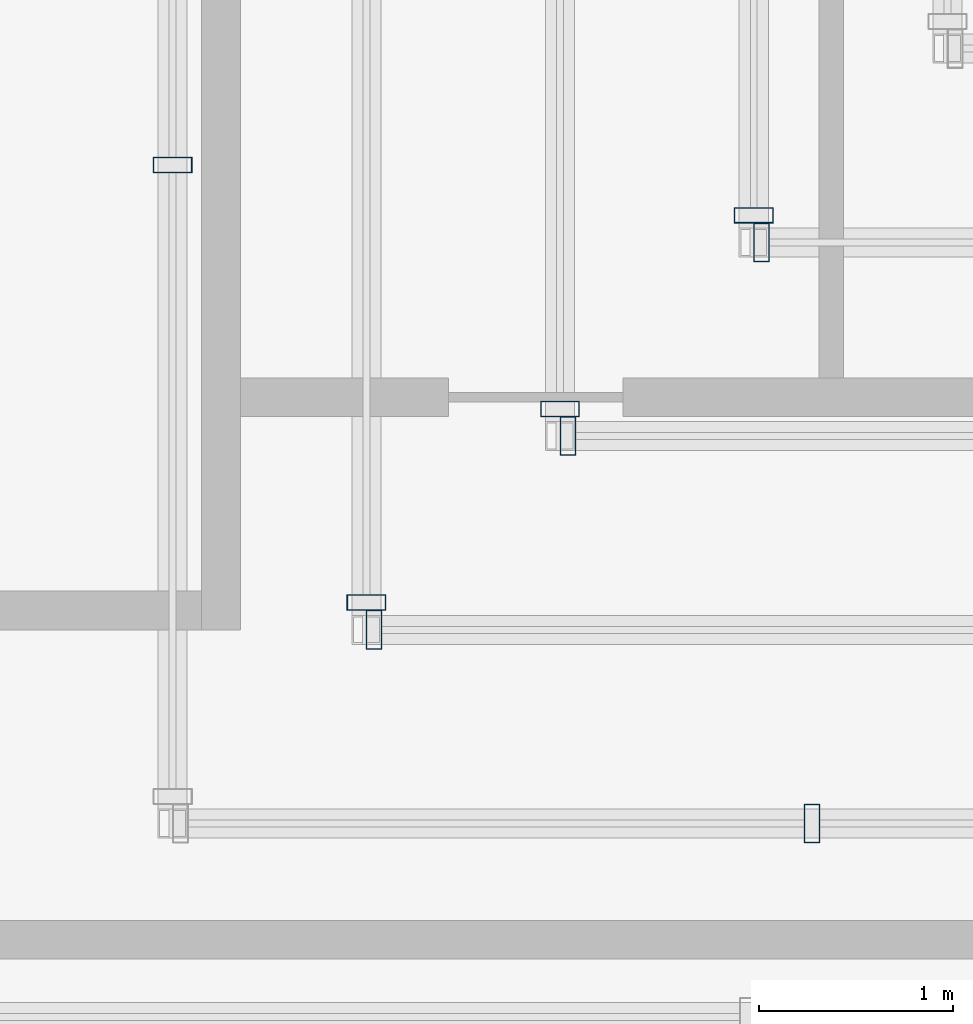
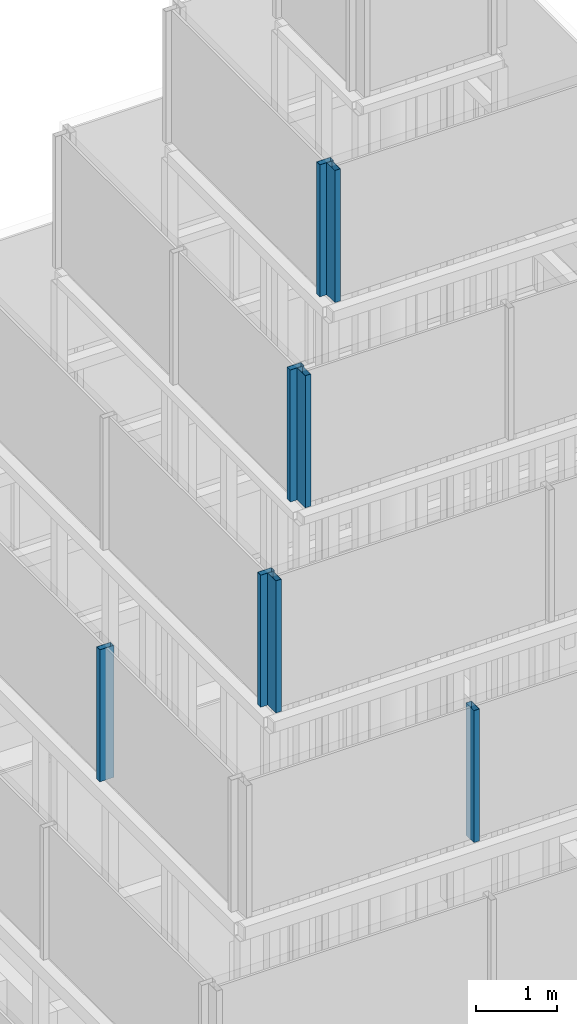
# One storey, part 5 of 24: 8 members, 8 elements without a shape of their own.
"""IFC4 building model written with IfcOpenShell, lengths in metres."""

from ifc_helpers import new_model, si_unit, direction, frame, origin, origin_2d, place, context, subcontext, project, spatial, hollow_rectangle, extrude, material, material_profile, profile_set, type_object, element, aggregate, save


model = new_model("IFC4")

# Units and contexts
model_context = context("Model", 3, precision=1e-05, world=origin(), true_north=direction((0.0, 1.0)))
body_context = subcontext(model_context, "Body", "Model", "MODEL_VIEW")
ifc_project = project(units=[si_unit("LENGTHUNIT", "METRE"), si_unit("AREAUNIT", "SQUARE_METRE"), si_unit("VOLUMEUNIT", "CUBIC_METRE"), si_unit("PLANEANGLEUNIT", "RADIAN"), si_unit("MASSUNIT", "GRAM", prefix="KILO")], contexts=[model_context])

# Site, building, storey
site_placement = place(None, origin())
site = spatial("IfcSite", under=ifc_project, at=site_placement, CompositionType="ELEMENT")
building_placement = place(site_placement, origin())
building = spatial("IfcBuilding", under=site, at=building_placement, Name="Altepetl Exchange Towers", CompositionType="ELEMENT")
storey_placement = place(building_placement, frame((0.0, 0.0, 279.10009765625)))
storey = spatial("IfcBuildingStorey", under=building, at=storey_placement, Name="L70 Crown plant", CompositionType="ELEMENT", Elevation=279.10009765625)

# Curtain wall, member
ifc_material_1 = material(Name="Aluminium 6063-T6 glazing", Category="aluminium")
curtain_wall_type = type_object("IfcCurtainWallType", Name="Crown glazing system", PredefinedType="NOTDEFINED", material=ifc_material_1)
curtain_wall_1_placement = place(storey_placement, origin())
curtain_wall_1 = element("IfcCurtainWall", 1, at=curtain_wall_1_placement, inside=storey, type_object=curtain_wall_type, Name="CW7 run", PredefinedType="NOTDEFINED")
ifc_material_2 = material(Name="Aluminium 6063-T6", Category="aluminium")
ifc_material_profile = material_profile(ifc_material_2, hollow_rectangle(XDim=0.080078125, YDim=0.199951171875, WallThickness=0.0029296875, at=origin_2d()), Name="Mullion 80x200 hollow aluminium")
ifc_profile_set = profile_set([ifc_material_profile], Name="Aluminium 6063-T6")
member_type = type_object("IfcMemberType", Name="Mullion 80x200 hollow aluminium", PredefinedType="MULLION", material=ifc_profile_set)
member_1_placement = place(storey_placement, frame((47.800048828125, 44.5, 10.949951171875)))
member_1 = element("IfcMember", 2, at=member_1_placement, type_object=member_type, Name="MU5 mullion", PredefinedType="MULLION", context=body_context, shape_type="SweptSolid", body=[
    extrude(hollow_rectangle(XDim=0.080078125, YDim=0.199951171875, WallThickness=0.0029296875, at=origin_2d()), origin(), (0.0, 0.0, 1.0), 2.0),
])
aggregate(curtain_wall_1, [member_1])

curtain_wall_2_placement = place(storey_placement, origin())
curtain_wall_2 = element("IfcCurtainWall", 3, at=curtain_wall_2_placement, inside=storey, type_object=curtain_wall_type, Name="CW7 run", PredefinedType="NOTDEFINED")
member_2_placement = place(storey_placement, frame((44.5, 47.89990234375, 10.949951171875), z_axis=(0.0, 0.0, 1.0), x_axis=(0.0, -1.0, 0.0)))
member_2 = element("IfcMember", 4, at=member_2_placement, type_object=member_type, Name="MU5 mullion", PredefinedType="MULLION", context=body_context, shape_type="SweptSolid", body=[
    extrude(hollow_rectangle(XDim=0.080078125, YDim=0.199951171875, WallThickness=0.0029296875, at=origin_2d()), origin(), (0.0, 0.0, 1.0), 2.0),
])
aggregate(curtain_wall_2, [member_2])

curtain_wall_3_placement = place(storey_placement, origin())
curtain_wall_3 = element("IfcCurtainWall", 5, at=curtain_wall_3_placement, inside=storey, type_object=curtain_wall_type, Name="CW7 run", PredefinedType="NOTDEFINED")
member_3_placement = place(storey_placement, frame((45.5400390625, 45.5, 13.099853515625)))
member_3 = element("IfcMember", 6, at=member_3_placement, type_object=member_type, Name="MU5 mullion", PredefinedType="MULLION", context=body_context, shape_type="SweptSolid", body=[
    extrude(hollow_rectangle(XDim=0.080078125, YDim=0.199951171875, WallThickness=0.0029296875, at=origin_2d()), origin(), (0.0, 0.0, 1.0), 2.0),
])
aggregate(curtain_wall_3, [member_3])

curtain_wall_4_placement = place(storey_placement, origin())
curtain_wall_4 = element("IfcCurtainWall", 7, at=curtain_wall_4_placement, inside=storey, type_object=curtain_wall_type, Name="CW7 run", PredefinedType="NOTDEFINED")
member_4_placement = place(storey_placement, frame((45.5, 45.639892578125, 13.099853515625), z_axis=(0.0, 0.0, 1.0), x_axis=(0.0, -1.0, 0.0)))
member_4 = element("IfcMember", 8, at=member_4_placement, type_object=member_type, Name="MU5 mullion", PredefinedType="MULLION", context=body_context, shape_type="SweptSolid", body=[
    extrude(hollow_rectangle(XDim=0.080078125, YDim=0.199951171875, WallThickness=0.0029296875, at=origin_2d()), origin(), (0.0, 0.0, 1.0), 2.0),
])
aggregate(curtain_wall_4, [member_4])

curtain_wall_5_placement = place(storey_placement, origin())
curtain_wall_5 = element("IfcCurtainWall", 9, at=curtain_wall_5_placement, inside=storey, type_object=curtain_wall_type, Name="CW7 run", PredefinedType="NOTDEFINED")
member_5_placement = place(storey_placement, frame((46.5400390625, 46.5, 15.25)))
member_5 = element("IfcMember", 10, at=member_5_placement, type_object=member_type, Name="MU5 mullion", PredefinedType="MULLION", context=body_context, shape_type="SweptSolid", body=[
    extrude(hollow_rectangle(XDim=0.080078125, YDim=0.199951171875, WallThickness=0.0029296875, at=origin_2d()), origin(), (0.0, 0.0, 1.0), 2.0),
])
aggregate(curtain_wall_5, [member_5])

curtain_wall_6_placement = place(storey_placement, origin())
curtain_wall_6 = element("IfcCurtainWall", 11, at=curtain_wall_6_placement, inside=storey, type_object=curtain_wall_type, Name="CW7 run", PredefinedType="NOTDEFINED")
member_6_placement = place(storey_placement, frame((46.5, 46.639892578125, 15.25), z_axis=(0.0, 0.0, 1.0), x_axis=(0.0, -1.0, 0.0)))
member_6 = element("IfcMember", 12, at=member_6_placement, type_object=member_type, Name="MU5 mullion", PredefinedType="MULLION", context=body_context, shape_type="SweptSolid", body=[
    extrude(hollow_rectangle(XDim=0.080078125, YDim=0.199951171875, WallThickness=0.0029296875, at=origin_2d()), origin(), (0.0, 0.0, 1.0), 2.0),
])
aggregate(curtain_wall_6, [member_6])

curtain_wall_7_placement = place(storey_placement, origin())
curtain_wall_7 = element("IfcCurtainWall", 13, at=curtain_wall_7_placement, inside=storey, type_object=curtain_wall_type, Name="CW7 run", PredefinedType="NOTDEFINED")
member_7_placement = place(storey_placement, frame((47.5400390625, 47.5, 17.39990234375)))
member_7 = element("IfcMember", 14, at=member_7_placement, type_object=member_type, Name="MU5 mullion", PredefinedType="MULLION", context=body_context, shape_type="SweptSolid", body=[
    extrude(hollow_rectangle(XDim=0.080078125, YDim=0.199951171875, WallThickness=0.0029296875, at=origin_2d()), origin(), (0.0, 0.0, 1.0), 2.0),
])
aggregate(curtain_wall_7, [member_7])

curtain_wall_8_placement = place(storey_placement, origin())
curtain_wall_8 = element("IfcCurtainWall", 15, at=curtain_wall_8_placement, inside=storey, type_object=curtain_wall_type, Name="CW7 run", PredefinedType="NOTDEFINED")
member_8_placement = place(storey_placement, frame((47.5, 47.639892578125, 17.39990234375), z_axis=(0.0, 0.0, 1.0), x_axis=(0.0, -1.0, 0.0)))
member_8 = element("IfcMember", 16, at=member_8_placement, type_object=member_type, Name="MU5 mullion", PredefinedType="MULLION", context=body_context, shape_type="SweptSolid", body=[
    extrude(hollow_rectangle(XDim=0.080078125, YDim=0.199951171875, WallThickness=0.0029296875, at=origin_2d()), origin(), (0.0, 0.0, 1.0), 2.0),
])
aggregate(curtain_wall_8, [member_8])

save(model, "model.ifc")
